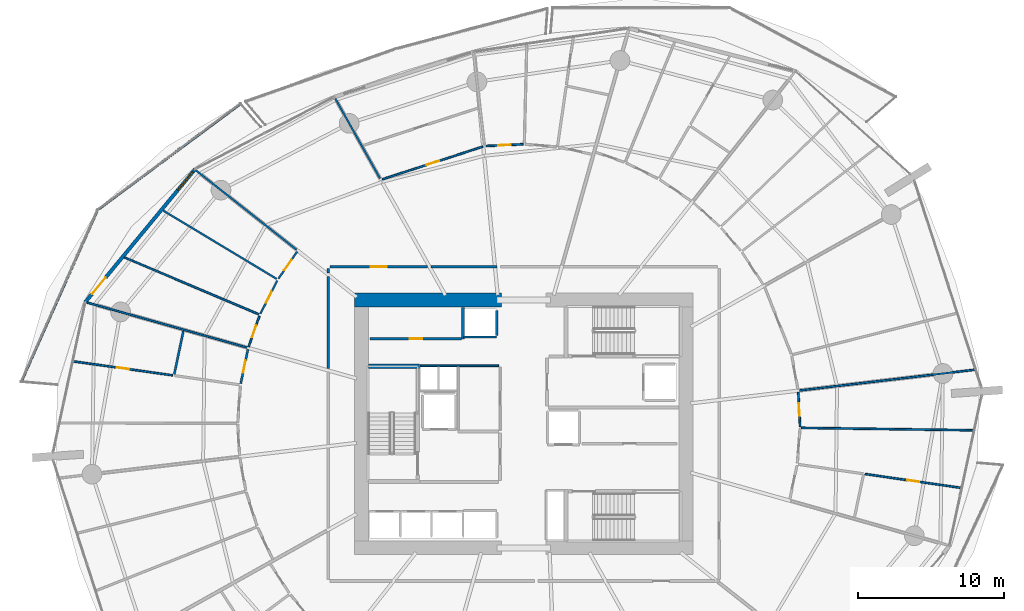
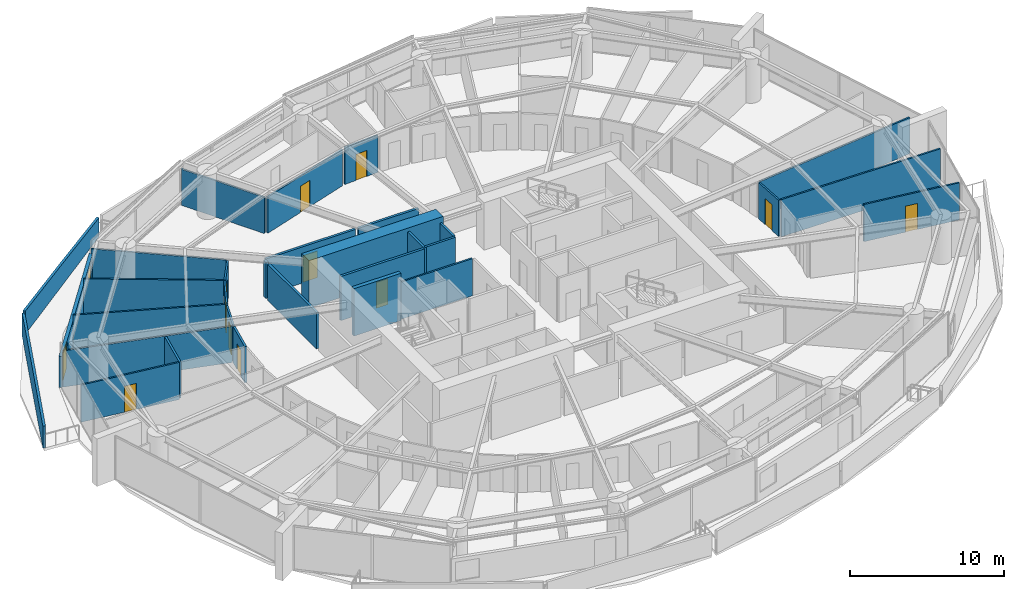
# One storey, part 22 of 31: 31 walls, 12 doors, 1 window, 13 openings.
"""IFC4 building model written with IfcOpenShell, lengths in metres."""

from ifc_helpers import new_model, si_unit, direction, frame, frame_2d, origin, place, context, subcontext, project, spatial, polyline, rectangle, outline, extrude, material, layer, layer_set, type_object, element, fill, save


model = new_model("IFC4")

# Units and contexts
model_context = context("Model", 3, precision=1e-05, world=origin(), true_north=direction((0.0, 1.0)))
body_context = subcontext(model_context, "Body", "Model", "MODEL_VIEW")
ifc_project = project(units=[si_unit("LENGTHUNIT", "METRE"), si_unit("AREAUNIT", "SQUARE_METRE"), si_unit("VOLUMEUNIT", "CUBIC_METRE"), si_unit("PLANEANGLEUNIT", "RADIAN"), si_unit("MASSUNIT", "GRAM", prefix="KILO")], contexts=[model_context])

# Site, building, storey
site_placement = place(None, origin())
site = spatial("IfcSite", under=ifc_project, at=site_placement, CompositionType="ELEMENT")
building_placement = place(site_placement, origin())
building = spatial("IfcBuilding", under=site, at=building_placement, Name="Kazma Halo Residences", CompositionType="ELEMENT")
storey_placement = place(building_placement, frame((0.0, 0.0, 45.14990234375)))
storey = spatial("IfcBuildingStorey", under=building, at=storey_placement, Name="L10", CompositionType="ELEMENT", Elevation=45.14990234375)

# Walls
ifc_material_1 = material(Name="White Concrete C50/60 Balustrade", Category="concrete")
ifc_layer_1 = layer(ifc_material_1, 0.179931640625)
ifc_layer_set_1 = layer_set([ifc_layer_1], Name="White Concrete C50/60 Balustrade")
wall_type_1 = type_object("IfcWallType", Name="WL-BAL-WAVE-180", PredefinedType="PARAPET", material=ifc_layer_set_1)
wall_1_placement = place(storey_placement, frame((29.06689453125, 63.8955078125, 0.0), z_axis=(0.0, 0.0, 1.0), x_axis=(-0.802947764501, -0.596049400204, 0.0)))
element("IfcWall", 1, at=wall_1_placement, inside=storey, type_object=wall_type_1, Name="L10 white wave balustrade wall NW.1", PredefinedType="PARAPET", context=body_context, shape_type="SweptSolid", body=[
    extrude(outline(polyline([(0.0, 0.0), (12.0654296875, 0.0), (12.065673828125, 1.83203125), (6.03271484375, 1.696044921875), (0.0, 1.4970703125), (0.0, 0.0)])), frame((0.0, 0.08984375, 0.0), z_axis=(0.0, -1.0, 0.0), x_axis=(1.0, 0.0, 0.0)), (0.0, 0.0, 1.0), 0.179931640625),
])
wall_2_placement = place(storey_placement, frame((19.23388671875, 56.522705078125, 0.0), z_axis=(0.0, 0.0, 1.0), x_axis=(-0.405953542593, -0.91389371442, 0.0)))
element("IfcWall", 2, at=wall_2_placement, inside=storey, type_object=wall_type_1, Name="L10 white wave balustrade wall NW.2", PredefinedType="PARAPET", context=body_context, shape_type="SweptSolid", body=[
    extrude(outline(polyline([(0.0, 0.0), (12.739990234375, 0.0), (12.739990234375, 1.756103515625), (6.3701171875, 1.85302734375), (0.0, 1.83203125), (0.0, 0.0)])), frame((0.0, 0.08984375, 0.0), z_axis=(0.0, -1.0, 0.0), x_axis=(1.0, 0.0, 0.0)), (0.0, 0.0, 1.0), 0.179931640625),
])
ifc_material_2 = material(Name="Concrete C80/95", Category="concrete")
ifc_layer_2 = layer(ifc_material_2, 0.949951171875)
ifc_layer_set_2 = layer_set([ifc_layer_2], Name="Concrete C80/95")
wall_type_2 = type_object("IfcWallType", Name="WL-CORE-950", PredefinedType="SHEAR", material=ifc_layer_set_2)
wall_3_placement = place(storey_placement, frame((36.85009765625, 50.47509765625, 0.0), z_axis=(0.0, 0.0, 1.0), x_axis=(1.0, 0.0, 0.0)))
element("IfcWall", 3, at=wall_3_placement, inside=storey, type_object=wall_type_2, Name="L10 central core shear wall NW", PredefinedType="SHEAR", context=body_context, shape_type="SweptSolid", body=[
    extrude(rectangle(XDim=10.0498046875, YDim=0.949951171875, at=frame_2d((5.02490234375, 0.0))), origin(), (0.0, 0.0, 1.0), 3.75),
])
ifc_material_3 = material(Name="Concrete C60/75", Category="concrete")
ifc_layer_3 = layer(ifc_material_3, 0.280029296875)
ifc_layer_set_3 = layer_set([ifc_layer_3], Name="Concrete C60/75")
wall_type_3 = type_object("IfcWallType", Name="WL-CORE-ST-280", PredefinedType="SHEAR", material=ifc_layer_set_3)
wall_4_placement = place(storey_placement, frame((37.800048828125, 45.93994140625, 0.0), z_axis=(0.0, 0.0, 1.0), x_axis=(1.0, 0.0, 0.0)))
element("IfcWall", 4, at=wall_4_placement, inside=storey, type_object=wall_type_3, Name="L10 stairwell bearing wall ST01-N", PredefinedType="SHEAR", context=body_context, shape_type="SweptSolid", body=[
    extrude(rectangle(XDim=3.5, YDim=0.280029296875, at=frame_2d((1.75, 0.0))), origin(), (0.0, 0.0, 1.0), 3.75),
])

# Wall, opening, door
ifc_material_4 = material(Name="Acoustic Twin-Stud Gypsum")
ifc_layer_4 = layer(ifc_material_4, 0.179931640625)
ifc_layer_set_4 = layer_set([ifc_layer_4], Name="Acoustic Twin-Stud Gypsum")
wall_type_4 = type_object("IfcWallType", Name="WL-DEM-180", PredefinedType="PARTITIONING", material=ifc_layer_set_4)
wall_5_placement = place(storey_placement, frame((41.859619140625, 52.75, 0.0), z_axis=(0.0, 0.0, 1.0), x_axis=(-1.0, 0.0, 0.0)))
wall_5 = element("IfcWall", 5, at=wall_5_placement, inside=storey, type_object=wall_type_4, Name="L10 Apartment 1 entrance corridor wall", PredefinedType="PARTITIONING", context=body_context, shape_type="SweptSolid", body=[
    extrude(rectangle(XDim=6.689697265625, YDim=0.179931640625, at=frame_2d((3.3447265625, 0.0))), origin(), (0.0, 0.0, 1.0), 2.8671875),
])
opening_1_placement = place(wall_5_placement, frame((2.794921875, 0.0, 0.0)))
opening_1 = element("IfcOpeningElement", 6, at=opening_1_placement, cuts=wall_5, Name="Opening DA-1100", PredefinedType="OPENING", context=body_context, shape_type="SweptSolid", body=[
    extrude(rectangle(XDim=1.10009765625, YDim=2.10009765625, at=frame_2d((0.550048828125, 1.050048828125))), frame((0.0, 0.099853515625, 0.0), z_axis=(0.0, -1.0, 0.0), x_axis=(1.0, 0.0, 0.0)), (0.0, 0.0, 1.0), 0.199951171875),
])
ifc_material_5 = material(Name="Acoustic Walnut Fire Leaf")
door_type_1 = type_object("IfcDoorType", Name="DR-FD60-1100", OperationType="NOTDEFINED", PredefinedType="DOOR", material=ifc_material_5)
door_1_placement = place(opening_1_placement, origin())
door_1 = element("IfcDoor", 7, at=door_1_placement, inside=storey, type_object=door_type_1, Name="L10 Apartment 1 entrance fire door", OperationType="SINGLE_SWING_RIGHT", OverallHeight=2.10009765625, OverallWidth=1.10009765625, PredefinedType="DOOR", context=body_context, shape_type="SweptSolid", body=[
    extrude(rectangle(XDim=1.10009765625, YDim=2.10009765625, at=frame_2d((0.550048828125, 1.050048828125))), frame((0.0, 0.02490234375, 0.0), z_axis=(0.0, -1.0, 0.0), x_axis=(1.0, 0.0, 0.0)), (0.0, 0.0, 1.0), 0.050048828125),
])
fill(opening_1, door_1)

# Walls
wall_6_placement = place(storey_placement, frame((35.050048828125, 52.6298828125, 0.0), z_axis=(0.0, 0.0, 1.0), x_axis=(0.0, -1.0, 0.0)))
element("IfcWall", 8, at=wall_6_placement, inside=storey, type_object=wall_type_4, Name="L10 Apartment 1 entrance corridor wall", PredefinedType="PARTITIONING", context=body_context, shape_type="SweptSolid", body=[
    extrude(rectangle(XDim=0.30078125, YDim=0.179931640625, at=frame_2d((0.150390625, 0.0))), origin(), (0.0, 0.0, 1.0), 2.8671875),
])
wall_7_placement = place(storey_placement, frame((46.607666015625, 52.75, 0.0), z_axis=(0.0, 0.0, 1.0), x_axis=(-1.0, 0.0, 0.0)))
element("IfcWall", 9, at=wall_7_placement, inside=storey, type_object=wall_type_4, Name="L10 Apartment 1 inner wall 3", PredefinedType="PARTITIONING", context=body_context, shape_type="SweptSolid", body=[
    extrude(rectangle(XDim=4.508056640625, YDim=0.179931640625, at=frame_2d((2.25390625, 0.0))), origin(), (0.0, 0.0, 1.0), 2.8671875),
])
wall_8_placement = place(storey_placement, frame((35.050048828125, 52.089111328125, 0.0), z_axis=(0.0, 0.0, 1.0), x_axis=(0.0, -1.0, 0.0)))
element("IfcWall", 10, at=wall_8_placement, inside=storey, type_object=wall_type_4, Name="L10 Apartment 1 inner wall 5", PredefinedType="PARTITIONING", context=body_context, shape_type="SweptSolid", body=[
    extrude(rectangle(XDim=6.31689453125, YDim=0.179931640625, at=frame_2d((3.158447265625, 0.0))), origin(), (0.0, 0.0, 1.0), 2.8671875),
])

# Wall, openings, door, window
ifc_material_6 = material(Name="Insulated Pale-Metal Composite Wall")
ifc_layer_5 = layer(ifc_material_6, 0.239990234375)
ifc_layer_set_5 = layer_set([ifc_layer_5], Name="Insulated Pale-Metal Composite Wall")
wall_type_5 = type_object("IfcWallType", Name="WL-EXT-HOST-240", PredefinedType="SOLIDWALL", material=ifc_layer_set_5)
wall_9_placement = place(storey_placement, frame((25.966796875, 59.433349609375, 0.0), z_axis=(0.0, 0.0, 1.0), x_axis=(-0.636674332663, -0.771132799281, 0.0)))
wall_9 = element("IfcWall", 11, at=wall_9_placement, inside=storey, type_object=wall_type_5, Name="L10 exterior terrace-access wall B06", PredefinedType="SOLIDWALL", context=body_context, shape_type="SweptSolid", body=[
    extrude(rectangle(XDim=11.851318359375, YDim=0.239990234375, at=frame_2d((5.92578125, 0.0))), origin(), (0.0, 0.0, 1.0), 2.4501953125),
])
opening_2_placement = place(wall_9_placement, frame((9.631103515625, 0.0, 0.0)))
opening_2 = element("IfcOpeningElement", 12, at=opening_2_placement, cuts=wall_9, Name="Opening DTR-1600", PredefinedType="OPENING", context=body_context, shape_type="SweptSolid", body=[
    extrude(rectangle(XDim=1.449951171875, YDim=2.14990234375, at=frame_2d((0.72509765625, 1.074951171875))), frame((0.0, 0.1298828125, 0.0), z_axis=(0.0, -1.0, 0.0), x_axis=(1.0, 0.0, 0.0)), (0.0, 0.0, 1.0), 0.260009765625),
])
opening_3_placement = place(wall_9_placement, frame((0.280029296875, 0.0, 0.64990234375)))
opening_3 = element("IfcOpeningElement", 13, at=opening_3_placement, cuts=wall_9, Name="Opening W-1800", PredefinedType="OPENING", context=body_context, shape_type="SweptSolid", body=[
    extrude(rectangle(XDim=1.60009765625, YDim=1.5, at=frame_2d((0.800048828125, 0.75))), frame((0.0, 0.1298828125, 0.0), z_axis=(0.0, -1.0, 0.0), x_axis=(1.0, 0.0, 0.0)), (0.0, 0.0, 1.0), 0.260009765625),
])
ifc_material_7 = material(Name="Aluminium AW-6063 T6 Double-Glazed Terrace Door", Category="aluminium")
door_type_2 = type_object("IfcDoorType", Name="DR-EXT-TERR-1600", OperationType="NOTDEFINED", PredefinedType="DOOR", material=ifc_material_7)
door_2_placement = place(opening_2_placement, origin())
door_2 = element("IfcDoor", 14, at=door_2_placement, inside=storey, type_object=door_type_2, Name="L10 B06 balcony terrace door", OperationType="DOUBLE_DOOR_SLIDING", OverallHeight=2.14990234375, OverallWidth=1.449951171875, PredefinedType="DOOR", context=body_context, shape_type="SweptSolid", body=[
    extrude(rectangle(XDim=1.449951171875, YDim=2.14990234375, at=frame_2d((0.72509765625, 1.074951171875))), frame((0.0, 0.02490234375, 0.0), z_axis=(0.0, -1.0, 0.0), x_axis=(1.0, 0.0, 0.0)), (0.0, 0.0, 1.0), 0.050048828125),
])
fill(opening_2, door_2)
ifc_material_8 = material(Name="Clear Triple-Silver Low-E Glass in Aluminium AW-6063 T6 Frame", Category="aluminium")
window_type = type_object("IfcWindowType", Name="WIN-RES-1800", PartitioningType="DOUBLE_PANEL_VERTICAL", PredefinedType="WINDOW", material=ifc_material_8)
window_placement = place(opening_3_placement, origin())
window = element("IfcWindow", 15, at=window_placement, inside=storey, type_object=window_type, Name="L10 B06 apartment window", OverallHeight=1.5, OverallWidth=1.60009765625, PartitioningType="SINGLE_PANEL", PredefinedType="WINDOW", context=body_context, shape_type="SweptSolid", body=[
    extrude(rectangle(XDim=1.60009765625, YDim=1.5, at=frame_2d((0.800048828125, 0.75))), frame((0.0, 0.030029296875, 0.0), z_axis=(0.0, -1.0, 0.0), x_axis=(1.0, 0.0, 0.0)), (0.0, 0.0, 1.0), 0.06005859375),
])
fill(opening_3, window)

# Walls
ifc_material_9 = material(Name="Fire-Rated Blockwork Masonry", Category="masonry")
ifc_layer_6 = layer(ifc_material_9, 0.199951171875)
ifc_layer_set_6 = layer_set([ifc_layer_6], Name="Fire-Rated Blockwork Masonry")
wall_type_6 = type_object("IfcWallType", Name="WL-FLB-200", PredefinedType="PARTITIONING", material=ifc_layer_set_6)
wall_10_placement = place(storey_placement, frame((46.580078125, 47.945068359375, 0.0), z_axis=(0.0, 0.0, 1.0), x_axis=(-1.0, 0.0, 0.0)))
element("IfcWall", 16, at=wall_10_placement, inside=storey, type_object=wall_type_6, Name="L10 lift shaft PX-01 front wall", PredefinedType="PARTITIONING", context=body_context, shape_type="SweptSolid", body=[
    extrude(rectangle(XDim=2.260009765625, YDim=0.159912109375, at=frame_2d((1.1298828125, 0.0))), origin(), (0.0, 0.0, 1.0), 3.5),
])
wall_11_placement = place(storey_placement, frame((46.580078125, 48.044921875, 0.0), z_axis=(0.0, 0.0, 1.0), x_axis=(0.0, 1.0, 0.0)))
element("IfcWall", 17, at=wall_11_placement, inside=storey, type_object=wall_type_6, Name="L10 lift shaft PX-01 side wall E", PredefinedType="PARTITIONING", context=body_context, shape_type="SweptSolid", body=[
    extrude(rectangle(XDim=1.7099609375, YDim=0.159912109375, at=frame_2d((0.85498046875, 0.0))), origin(), (0.0, 0.0, 1.0), 3.5),
])

# Wall, opening, door
wall_12_placement = place(storey_placement, frame((37.919921875, 47.820068359375, 0.0), z_axis=(0.0, 0.0, 1.0), x_axis=(1.0, 0.0, 0.0)))
wall_12 = element("IfcWall", 18, at=wall_12_placement, inside=storey, type_object=wall_type_6, Name="L10 core north reserve wall", PredefinedType="PARTITIONING", context=body_context, shape_type="SweptSolid", body=[
    extrude(rectangle(XDim=6.260009765625, YDim=0.179931640625, at=frame_2d((3.1298828125, 0.0))), origin(), (0.0, 0.0, 1.0), 3.5),
])
opening_4_placement = place(wall_12_placement, frame((2.705078125, 0.0, 0.0)))
opening_4 = element("IfcOpeningElement", 19, at=opening_4_placement, cuts=wall_12, Name="Opening DS-850", PredefinedType="OPENING", context=body_context, shape_type="SweptSolid", body=[
    extrude(rectangle(XDim=0.85009765625, YDim=2.06005859375, at=frame_2d((0.425048828125, 1.030029296875))), frame((0.0, 0.099853515625, 0.0), z_axis=(0.0, -1.0, 0.0), x_axis=(1.0, 0.0, 0.0)), (0.0, 0.0, 1.0), 0.199951171875),
])
ifc_material_10 = material(Name="Painted Steel Access Leaf", Category="steel")
door_type_3 = type_object("IfcDoorType", Name="DR-SVC-850", OperationType="NOTDEFINED", PredefinedType="DOOR", material=ifc_material_10)
door_3_placement = place(opening_4_placement, origin())
door_3 = element("IfcDoor", 20, at=door_3_placement, inside=storey, type_object=door_type_3, Name="L10 core north reserve door", OperationType="SINGLE_SWING_RIGHT", OverallHeight=2.06005859375, OverallWidth=0.85009765625, PredefinedType="DOOR", context=body_context, shape_type="SweptSolid", body=[
    extrude(rectangle(XDim=0.85009765625, YDim=2.06005859375, at=frame_2d((0.425048828125, 1.030029296875))), frame((0.0, 0.02490234375, 0.0), z_axis=(0.0, -1.0, 0.0), x_axis=(1.0, 0.0, 0.0)), (0.0, 0.0, 1.0), 0.050048828125),
])
fill(opening_4, door_3)

# Walls
wall_13_placement = place(storey_placement, frame((44.280029296875, 47.820068359375, 0.0), z_axis=(0.0, 0.0, 1.0), x_axis=(0.0, 1.0, 0.0)))
element("IfcWall", 21, at=wall_13_placement, inside=storey, type_object=wall_type_6, Name="L10 PX-01 hoistway west wall", PredefinedType="PARTITIONING", context=body_context, shape_type="SweptSolid", body=[
    extrude(rectangle(XDim=2.1298828125, YDim=0.179931640625, at=frame_2d((1.06494140625, 0.0))), origin(), (0.0, 0.0, 1.0), 3.5),
])
ifc_material_11 = material(Name="Gypsum Plasterboard Partition")
ifc_layer_7 = layer(ifc_material_11, 0.125)
ifc_layer_set_7 = layer_set([ifc_layer_7], Name="Gypsum Plasterboard Partition")
wall_type_7 = type_object("IfcWallType", Name="WL-PART-125", PredefinedType="PARTITIONING", material=ifc_layer_set_7)
wall_14_placement = place(storey_placement, frame((41.360107421875, 45.97998046875, 0.0), z_axis=(0.0, 0.0, 1.0), x_axis=(1.0, 0.0, 0.0)))
element("IfcWall", 22, at=wall_14_placement, inside=storey, type_object=wall_type_7, Name="L10 core north riser wall", PredefinedType="PARTITIONING", context=body_context, shape_type="SweptSolid", body=[
    extrude(rectangle(XDim=5.35986328125, YDim=0.125, at=frame_2d((2.679931640625, 0.0))), origin(), (0.0, 0.0, 1.0), 2.940185546875),
])

# Wall, opening, door
wall_15_placement = place(storey_placement, frame((48.388916015625, 61.12060546875, 0.0), z_axis=(0.0, 0.0, 1.0), x_axis=(-0.998913125069, -0.046610820248, 0.0)))
wall_15 = element("IfcWall", 23, at=wall_15_placement, inside=storey, type_object=wall_type_7, Name="L10 Apartment 1 Primary Bedroom hall wall", PredefinedType="PARTITIONING", context=body_context, shape_type="SweptSolid", body=[
    extrude(rectangle(XDim=2.540283203125, YDim=0.125, at=frame_2d((1.27001953125, 0.0))), origin(), (0.0, 0.0, 1.0), 2.940185546875),
])
opening_5_placement = place(wall_15_placement, frame((0.84521484375, 0.0, 0.0)))
opening_5 = element("IfcOpeningElement", 24, at=opening_5_placement, cuts=wall_15, Name="Opening DB-900", PredefinedType="OPENING", context=body_context, shape_type="SweptSolid", body=[
    extrude(rectangle(XDim=0.85009765625, YDim=2.06005859375, at=frame_2d((0.425048828125, 1.030029296875))), frame((0.0, 0.072509765625, 0.0), z_axis=(0.0, -1.0, 0.0), x_axis=(1.0, 0.0, 0.0)), (0.0, 0.0, 1.0), 0.14501953125),
])
ifc_material_12 = material(Name="Moisture-Sealed Timber Leaf", Category="wood")
door_type_4 = type_object("IfcDoorType", Name="DR-BTH-900", OperationType="NOTDEFINED", PredefinedType="DOOR", material=ifc_material_12)
door_4_placement = place(opening_5_placement, origin())
door_4 = element("IfcDoor", 25, at=door_4_placement, inside=storey, type_object=door_type_4, Name="L10 Apartment 1 Primary Bedroom door", OperationType="SINGLE_SWING_RIGHT", OverallHeight=2.06005859375, OverallWidth=0.85009765625, PredefinedType="DOOR", context=body_context, shape_type="SweptSolid", body=[
    extrude(rectangle(XDim=0.85009765625, YDim=2.06005859375, at=frame_2d((0.425048828125, 1.030029296875))), frame((0.0, 0.02490234375, 0.0), z_axis=(0.0, -1.0, 0.0), x_axis=(1.0, 0.0, 0.0)), (0.0, 0.0, 1.0), 0.050048828125),
])
fill(opening_5, door_4)

# Wall
wall_16_placement = place(storey_placement, frame((38.603759765625, 58.778076171875, 0.0), z_axis=(0.0, 0.0, 1.0), x_axis=(-0.488617606889, 0.872498042541, 0.0)))
element("IfcWall", 26, at=wall_16_placement, inside=storey, type_object=wall_type_7, Name="L10 Apartment 1 living radial partition 3", PredefinedType="PARTITIONING", context=body_context, shape_type="SweptSolid", body=[
    extrude(rectangle(XDim=6.265625, YDim=0.125, at=frame_2d((3.1328125, 0.0))), origin(), (0.0, 0.0, 1.0), 2.8671875),
])

# Wall, opening, door
wall_17_placement = place(storey_placement, frame((45.64697265625, 60.96337890625, 0.0), z_axis=(0.0, 0.0, 1.0), x_axis=(-0.95105883225, -0.309009866509, 0.0)))
wall_17 = element("IfcWall", 27, at=wall_17_placement, inside=storey, type_object=wall_type_7, Name="L10 Apartment 1 East Study hall wall", PredefinedType="PARTITIONING", context=body_context, shape_type="SweptSolid", body=[
    extrude(rectangle(XDim=7.244140625, YDim=0.125, at=frame_2d((3.6220703125, 0.0))), origin(), (0.0, 0.0, 1.0), 2.8671875),
])
opening_6_placement = place(wall_17_placement, frame((3.172119140625, 0.0, 0.0)))
opening_6 = element("IfcOpeningElement", 28, at=opening_6_placement, cuts=wall_17, Name="Opening DI-950", PredefinedType="OPENING", context=body_context, shape_type="SweptSolid", body=[
    extrude(rectangle(XDim=0.89990234375, YDim=2.080078125, at=frame_2d((0.449951171875, 1.0400390625))), frame((0.0, 0.072509765625, 0.0), z_axis=(0.0, -1.0, 0.0), x_axis=(1.0, 0.0, 0.0)), (0.0, 0.0, 1.0), 0.14501953125),
])
ifc_material_13 = material(Name="Timber Veneer Flush Leaf", Category="wood")
door_type_5 = type_object("IfcDoorType", Name="DR-INT-950", OperationType="NOTDEFINED", PredefinedType="DOOR", material=ifc_material_13)
door_5_placement = place(opening_6_placement, origin())
door_5 = element("IfcDoor", 29, at=door_5_placement, inside=storey, type_object=door_type_5, Name="L10 Apartment 1 East Study door", OperationType="SINGLE_SWING_RIGHT", OverallHeight=2.080078125, OverallWidth=0.89990234375, PredefinedType="DOOR", context=body_context, shape_type="SweptSolid", body=[
    extrude(rectangle(XDim=0.89990234375, YDim=2.080078125, at=frame_2d((0.449951171875, 1.0400390625))), frame((0.0, 0.02490234375, 0.0), z_axis=(0.0, -1.0, 0.0), x_axis=(1.0, 0.0, 0.0)), (0.0, 0.0, 1.0), 0.050048828125),
])
fill(opening_6, door_5)

# Walls
wall_18_placement = place(storey_placement, frame((32.8984375, 53.9052734375, 0.0), z_axis=(0.0, 0.0, 1.0), x_axis=(-0.78532854108, 0.619079221558, 0.0)))
element("IfcWall", 30, at=wall_18_placement, inside=storey, type_object=wall_type_7, Name="L10 Apartment 1 radial partition 5", PredefinedType="PARTITIONING", context=body_context, shape_type="SweptSolid", body=[
    extrude(rectangle(XDim=8.842041015625, YDim=0.125, at=frame_2d((4.4208984375, 0.0))), origin(), (0.0, 0.0, 1.0), 2.8671875),
])
wall_19_placement = place(storey_placement, frame((31.533935546875, 51.913330078125, 0.0), z_axis=(0.0, 0.0, 1.0), x_axis=(-0.856706990958, 0.515803384676, 0.0)))
element("IfcWall", 31, at=wall_19_placement, inside=storey, type_object=wall_type_7, Name="L10 Apartment 1 bay wall 1 5", PredefinedType="PARTITIONING", context=body_context, shape_type="SweptSolid", body=[
    extrude(rectangle(XDim=9.056640625, YDim=0.125, at=frame_2d((4.5283203125, 0.0))), origin(), (0.0, 0.0, 1.0), 2.940185546875),
])
wall_20_placement = place(storey_placement, frame((30.30126953125, 49.494384765625, 0.0), z_axis=(0.0, 0.0, 1.0), x_axis=(-0.920840746031, 0.389938867579, 0.0)))
element("IfcWall", 32, at=wall_20_placement, inside=storey, type_object=wall_type_7, Name="L10 Apartment 1 bay wall 2 5", PredefinedType="PARTITIONING", context=body_context, shape_type="SweptSolid", body=[
    extrude(rectangle(XDim=9.965576171875, YDim=0.125, at=frame_2d((4.98291015625, 0.0))), origin(), (0.0, 0.0, 1.0), 2.940185546875),
])

# Wall, opening, door
wall_21_placement = place(storey_placement, frame((32.931396484375, 53.777587890625, 0.0), z_axis=(0.0, 0.0, 1.0), x_axis=(-0.568541738061, -0.822654418382, 0.0)))
wall_21 = element("IfcWall", 33, at=wall_21_placement, inside=storey, type_object=wall_type_7, Name="L10 Apartment 1 Inner Bedroom hall wall", PredefinedType="PARTITIONING", context=body_context, shape_type="SweptSolid", body=[
    extrude(rectangle(XDim=2.242431640625, YDim=0.125, at=frame_2d((1.12109375, 0.0))), origin(), (0.0, 0.0, 1.0), 2.8671875),
])
opening_7_placement = place(wall_21_placement, frame((0.6962890625, 0.0, 0.0)))
opening_7 = element("IfcOpeningElement", 34, at=opening_7_placement, cuts=wall_21, Name="Opening DB-900", PredefinedType="OPENING", context=body_context, shape_type="SweptSolid", body=[
    extrude(rectangle(XDim=0.85009765625, YDim=2.06005859375, at=frame_2d((0.425048828125, 1.030029296875))), frame((0.0, 0.072509765625, 0.0), z_axis=(0.0, -1.0, 0.0), x_axis=(1.0, 0.0, 0.0)), (0.0, 0.0, 1.0), 0.14501953125),
])
door_6_placement = place(opening_7_placement, origin())
door_6 = element("IfcDoor", 35, at=door_6_placement, inside=storey, type_object=door_type_4, Name="L10 Apartment 1 Inner Bedroom door", OperationType="SINGLE_SWING_LEFT", OverallHeight=2.06005859375, OverallWidth=0.85009765625, PredefinedType="DOOR", context=body_context, shape_type="SweptSolid", body=[
    extrude(rectangle(XDim=0.85009765625, YDim=2.06005859375, at=frame_2d((0.425048828125, 1.030029296875))), frame((0.0, 0.02490234375, 0.0), z_axis=(0.0, -1.0, 0.0), x_axis=(1.0, 0.0, 0.0)), (0.0, 0.0, 1.0), 0.050048828125),
])
fill(opening_7, door_6)

wall_22_placement = place(storey_placement, frame((31.57470703125, 51.795654296875, 0.0), z_axis=(0.0, 0.0, 1.0), x_axis=(-0.454037986735, -0.890982326762, 0.0)))
wall_22 = element("IfcWall", 36, at=wall_22_placement, inside=storey, type_object=wall_type_7, Name="L10 Apartment 1 Outer Study hall wall", PredefinedType="PARTITIONING", context=body_context, shape_type="SweptSolid", body=[
    extrude(rectangle(XDim=2.542236328125, YDim=0.125, at=frame_2d((1.27099609375, 0.0))), origin(), (0.0, 0.0, 1.0), 2.940185546875),
])
opening_8_placement = place(wall_22_placement, frame((0.84619140625, 0.0, 0.0)))
opening_8 = element("IfcOpeningElement", 37, at=opening_8_placement, cuts=wall_22, Name="Opening DB-900", PredefinedType="OPENING", context=body_context, shape_type="SweptSolid", body=[
    extrude(rectangle(XDim=0.85009765625, YDim=2.06005859375, at=frame_2d((0.425048828125, 1.030029296875))), frame((0.0, 0.072509765625, 0.0), z_axis=(0.0, -1.0, 0.0), x_axis=(1.0, 0.0, 0.0)), (0.0, 0.0, 1.0), 0.14501953125),
])
door_7_placement = place(opening_8_placement, origin())
door_7 = element("IfcDoor", 38, at=door_7_placement, inside=storey, type_object=door_type_4, Name="L10 Apartment 1 Outer Study door", OperationType="SINGLE_SWING_RIGHT", OverallHeight=2.06005859375, OverallWidth=0.85009765625, PredefinedType="DOOR", context=body_context, shape_type="SweptSolid", body=[
    extrude(rectangle(XDim=0.85009765625, YDim=2.06005859375, at=frame_2d((0.425048828125, 1.030029296875))), frame((0.0, 0.02490234375, 0.0), z_axis=(0.0, -1.0, 0.0), x_axis=(1.0, 0.0, 0.0)), (0.0, 0.0, 1.0), 0.050048828125),
])
fill(opening_8, door_7)

wall_23_placement = place(storey_placement, frame((30.357666015625, 49.3837890625, 0.0), z_axis=(0.0, 0.0, 1.0), x_axis=(-0.331344536708, -0.943509829304, 0.0)))
wall_23 = element("IfcWall", 39, at=wall_23_placement, inside=storey, type_object=wall_type_7, Name="L10 Apartment 1 Corner Bedroom hall wall", PredefinedType="PARTITIONING", context=body_context, shape_type="SweptSolid", body=[
    extrude(rectangle(XDim=2.2421875, YDim=0.125, at=frame_2d((1.12109375, 0.0))), origin(), (0.0, 0.0, 1.0), 2.8671875),
])
opening_9_placement = place(wall_23_placement, frame((0.696044921875, 0.0, 0.0)))
opening_9 = element("IfcOpeningElement", 40, at=opening_9_placement, cuts=wall_23, Name="Opening DB-900", PredefinedType="OPENING", context=body_context, shape_type="SweptSolid", body=[
    extrude(rectangle(XDim=0.85009765625, YDim=2.06005859375, at=frame_2d((0.425048828125, 1.030029296875))), frame((0.0, 0.072509765625, 0.0), z_axis=(0.0, -1.0, 0.0), x_axis=(1.0, 0.0, 0.0)), (0.0, 0.0, 1.0), 0.14501953125),
])
door_8_placement = place(opening_9_placement, origin())
door_8 = element("IfcDoor", 41, at=door_8_placement, inside=storey, type_object=door_type_4, Name="L10 Apartment 1 Corner Bedroom door", OperationType="SINGLE_SWING_LEFT", OverallHeight=2.06005859375, OverallWidth=0.85009765625, PredefinedType="DOOR", context=body_context, shape_type="SweptSolid", body=[
    extrude(rectangle(XDim=0.85009765625, YDim=2.06005859375, at=frame_2d((0.425048828125, 1.030029296875))), frame((0.0, 0.02490234375, 0.0), z_axis=(0.0, -1.0, 0.0), x_axis=(1.0, 0.0, 0.0)), (0.0, 0.0, 1.0), 0.050048828125),
])
fill(opening_9, door_8)

# Wall
wall_24_placement = place(storey_placement, frame((29.491943359375, 47.2197265625, 0.0), z_axis=(0.0, 0.0, 1.0), x_axis=(-0.962454721813, 0.271442274635, 0.0)))
element("IfcWall", 42, at=wall_24_placement, inside=storey, type_object=wall_type_7, Name="L10 Apartment 1 radial partition 6", PredefinedType="PARTITIONING", context=body_context, shape_type="SweptSolid", body=[
    extrude(rectangle(XDim=11.344482421875, YDim=0.125, at=frame_2d((5.67236328125, 0.0))), origin(), (0.0, 0.0, 1.0), 2.8671875),
])

# Wall, opening, door
wall_25_placement = place(storey_placement, frame((24.42236328125, 45.31787109375, 0.0), z_axis=(0.0, 0.0, 1.0), x_axis=(-0.990243959665, 0.139344538274, 0.0)))
wall_25 = element("IfcWall", 43, at=wall_25_placement, inside=storey, type_object=wall_type_7, Name="L10 Apartment 1 Sky Walk-In Wardrobe partition wall", PredefinedType="PARTITIONING", context=body_context, shape_type="SweptSolid", body=[
    extrude(rectangle(XDim=6.88037109375, YDim=0.125, at=frame_2d((3.440185546875, 0.0))), origin(), (0.0, 0.0, 1.0), 2.940185546875),
])
opening_10_placement = place(wall_25_placement, frame((3.01513671875, 0.0, 0.0)))
opening_10 = element("IfcOpeningElement", 44, at=opening_10_placement, cuts=wall_25, Name="Opening DB-900", PredefinedType="OPENING", context=body_context, shape_type="SweptSolid", body=[
    extrude(rectangle(XDim=0.85009765625, YDim=2.06005859375, at=frame_2d((0.425048828125, 1.030029296875))), frame((0.0, 0.072509765625, 0.0), z_axis=(0.0, -1.0, 0.0), x_axis=(1.0, 0.0, 0.0)), (0.0, 0.0, 1.0), 0.14501953125),
])
door_9_placement = place(opening_10_placement, origin())
door_9 = element("IfcDoor", 45, at=door_9_placement, inside=storey, type_object=door_type_4, Name="L10 Apartment 1 Sky Walk-In Wardrobe door", OperationType="SINGLE_SWING_RIGHT", OverallHeight=2.06005859375, OverallWidth=0.85009765625, PredefinedType="DOOR", context=body_context, shape_type="SweptSolid", body=[
    extrude(rectangle(XDim=0.85009765625, YDim=2.06005859375, at=frame_2d((0.425048828125, 1.030029296875))), frame((0.0, 0.02490234375, 0.0), z_axis=(0.0, -1.0, 0.0), x_axis=(1.0, 0.0, 0.0)), (0.0, 0.0, 1.0), 0.050048828125),
])
fill(opening_10, door_9)

wall_26_placement = place(storey_placement, frame((71.766845703125, 38.56982421875, 0.0), z_axis=(0.0, 0.0, 1.0), x_axis=(0.989747166196, -0.142830483468, 0.0)))
wall_26 = element("IfcWall", 46, at=wall_26_placement, inside=storey, type_object=wall_type_7, Name="L10 Apartment 3 Household Store Room partition wall", PredefinedType="PARTITIONING", context=body_context, shape_type="SweptSolid", body=[
    extrude(rectangle(XDim=6.669677734375, YDim=0.125, at=frame_2d((3.3349609375, 0.0))), origin(), (0.0, 0.0, 1.0), 2.940185546875),
])
opening_11_placement = place(wall_26_placement, frame((2.909912109375, 0.0, 0.0)))
opening_11 = element("IfcOpeningElement", 47, at=opening_11_placement, cuts=wall_26, Name="Opening DB-900", PredefinedType="OPENING", context=body_context, shape_type="SweptSolid", body=[
    extrude(rectangle(XDim=0.85009765625, YDim=2.06005859375, at=frame_2d((0.425048828125, 1.030029296875))), frame((0.0, 0.072509765625, 0.0), z_axis=(0.0, -1.0, 0.0), x_axis=(1.0, 0.0, 0.0)), (0.0, 0.0, 1.0), 0.14501953125),
])
door_10_placement = place(opening_11_placement, origin())
door_10 = element("IfcDoor", 48, at=door_10_placement, inside=storey, type_object=door_type_4, Name="L10 Apartment 3 Household Store Room door", OperationType="SINGLE_SWING_RIGHT", OverallHeight=2.06005859375, OverallWidth=0.85009765625, PredefinedType="DOOR", context=body_context, shape_type="SweptSolid", body=[
    extrude(rectangle(XDim=0.85009765625, YDim=2.06005859375, at=frame_2d((0.425048828125, 1.030029296875))), frame((0.0, 0.02490234375, 0.0), z_axis=(0.0, -1.0, 0.0), x_axis=(1.0, 0.0, 0.0)), (0.0, 0.0, 1.0), 0.050048828125),
])
fill(opening_11, door_10)

# Wall
wall_27_placement = place(storey_placement, frame((67.421142578125, 41.726806640625, 0.0), z_axis=(0.0, 0.0, 1.0), x_axis=(0.999900926594, -0.014076114402, 0.0)))
element("IfcWall", 49, at=wall_27_placement, inside=storey, type_object=wall_type_7, Name="L10 Apartment 3 suite divider 14", PredefinedType="PARTITIONING", context=body_context, shape_type="SweptSolid", body=[
    extrude(rectangle(XDim=11.794189453125, YDim=0.125, at=frame_2d((5.89697265625, 0.0))), origin(), (0.0, 0.0, 1.0), 2.940185546875),
])

# Wall, opening, door
wall_28_placement = place(storey_placement, frame((67.326904296875, 41.807861328125, 0.0), z_axis=(0.0, 0.0, 1.0), x_axis=(-0.05186073985, 0.998654326412, 0.0)))
wall_28 = element("IfcWall", 50, at=wall_28_placement, inside=storey, type_object=wall_type_7, Name="L10 Apartment 3 Master Bedroom hall wall", PredefinedType="PARTITIONING", context=body_context, shape_type="SweptSolid", body=[
    extrude(rectangle(XDim=2.367919921875, YDim=0.125, at=frame_2d((1.18408203125, 0.0))), origin(), (0.0, 0.0, 1.0), 2.8671875),
])
opening_12_placement = place(wall_28_placement, frame((0.7587890625, 0.0, 0.0)))
opening_12 = element("IfcOpeningElement", 51, at=opening_12_placement, cuts=wall_28, Name="Opening DB-900", PredefinedType="OPENING", context=body_context, shape_type="SweptSolid", body=[
    extrude(rectangle(XDim=0.85009765625, YDim=2.06005859375, at=frame_2d((0.425048828125, 1.030029296875))), frame((0.0, 0.072509765625, 0.0), z_axis=(0.0, -1.0, 0.0), x_axis=(1.0, 0.0, 0.0)), (0.0, 0.0, 1.0), 0.14501953125),
])
door_11_placement = place(opening_12_placement, origin())
door_11 = element("IfcDoor", 52, at=door_11_placement, inside=storey, type_object=door_type_4, Name="L10 Apartment 3 Master Bedroom door", OperationType="SINGLE_SWING_RIGHT", OverallHeight=2.06005859375, OverallWidth=0.85009765625, PredefinedType="DOOR", context=body_context, shape_type="SweptSolid", body=[
    extrude(rectangle(XDim=0.85009765625, YDim=2.06005859375, at=frame_2d((0.425048828125, 1.030029296875))), frame((0.0, 0.02490234375, 0.0), z_axis=(0.0, -1.0, 0.0), x_axis=(1.0, 0.0, 0.0)), (0.0, 0.0, 1.0), 0.050048828125),
])
fill(opening_12, door_11)

# Wall
wall_29_placement = place(storey_placement, frame((67.29833984375, 44.2841796875, 0.0), z_axis=(0.0, 0.0, 1.0), x_axis=(0.993068589749, 0.117536275483, 0.0)))
element("IfcWall", 53, at=wall_29_placement, inside=storey, type_object=wall_type_7, Name="L10 Apartment 3 radial partition 15", PredefinedType="PARTITIONING", context=body_context, shape_type="SweptSolid", body=[
    extrude(rectangle(XDim=12.105712890625, YDim=0.125, at=frame_2d((6.052734375, 0.0))), origin(), (0.0, 0.0, 1.0), 2.8671875),
])

# Wall, opening, door
ifc_material_14 = material(Name="Moisture-Resistant Gypsum")
ifc_layer_8 = layer(ifc_material_14, 0.14990234375)
ifc_layer_set_8 = layer_set([ifc_layer_8], Name="Moisture-Resistant Gypsum")
wall_type_8 = type_object("IfcWallType", Name="WL-WET-150", PredefinedType="PARTITIONING", material=ifc_layer_set_8)
wall_30_placement = place(storey_placement, frame((29.567626953125, 47.0947265625, 0.0), z_axis=(0.0, 0.0, 1.0), x_axis=(-0.205861309483, -0.978581177654, 0.0)))
wall_30 = element("IfcWall", 54, at=wall_30_placement, inside=storey, type_object=wall_type_8, Name="L10 Apartment 1 Garden En-Suite Bathroom hall wall", PredefinedType="PARTITIONING", context=body_context, shape_type="SweptSolid", body=[
    extrude(rectangle(XDim=2.39208984375, YDim=0.14990234375, at=frame_2d((1.196044921875, 0.0))), origin(), (0.0, 0.0, 1.0), 2.8671875),
])
opening_13_placement = place(wall_30_placement, frame((0.77099609375, 0.0, 0.0)))
opening_13 = element("IfcOpeningElement", 55, at=opening_13_placement, cuts=wall_30, Name="Opening DB-900", PredefinedType="OPENING", context=body_context, shape_type="SweptSolid", body=[
    extrude(rectangle(XDim=0.85009765625, YDim=2.06005859375, at=frame_2d((0.425048828125, 1.030029296875))), frame((0.0, 0.0849609375, 0.0), z_axis=(0.0, -1.0, 0.0), x_axis=(1.0, 0.0, 0.0)), (0.0, 0.0, 1.0), 0.169921875),
])
door_12_placement = place(opening_13_placement, origin())
door_12 = element("IfcDoor", 56, at=door_12_placement, inside=storey, type_object=door_type_4, Name="L10 Apartment 1 Garden En-Suite Bathroom door", OperationType="SINGLE_SWING_LEFT", OverallHeight=2.06005859375, OverallWidth=0.85009765625, PredefinedType="DOOR", context=body_context, shape_type="SweptSolid", body=[
    extrude(rectangle(XDim=0.85009765625, YDim=2.06005859375, at=frame_2d((0.425048828125, 1.030029296875))), frame((0.0, 0.02490234375, 0.0), z_axis=(0.0, -1.0, 0.0), x_axis=(1.0, 0.0, 0.0)), (0.0, 0.0, 1.0), 0.050048828125),
])
fill(opening_13, door_12)

# Wall
wall_31_placement = place(storey_placement, frame((25.14990234375, 48.3408203125, 0.0), z_axis=(0.0, 0.0, 1.0), x_axis=(-0.205879759174, -0.978577296264, 0.0)))
element("IfcWall", 57, at=wall_31_placement, inside=storey, type_object=wall_type_8, Name="L10 Apartment 1 Garden En-Suite Bathroom back wall", PredefinedType="PARTITIONING", context=body_context, shape_type="SweptSolid", body=[
    extrude(rectangle(XDim=3.011962890625, YDim=0.14990234375, at=frame_2d((1.505859375, 0.0))), origin(), (0.0, 0.0, 1.0), 2.8671875),
])

save(model, "model.ifc")
